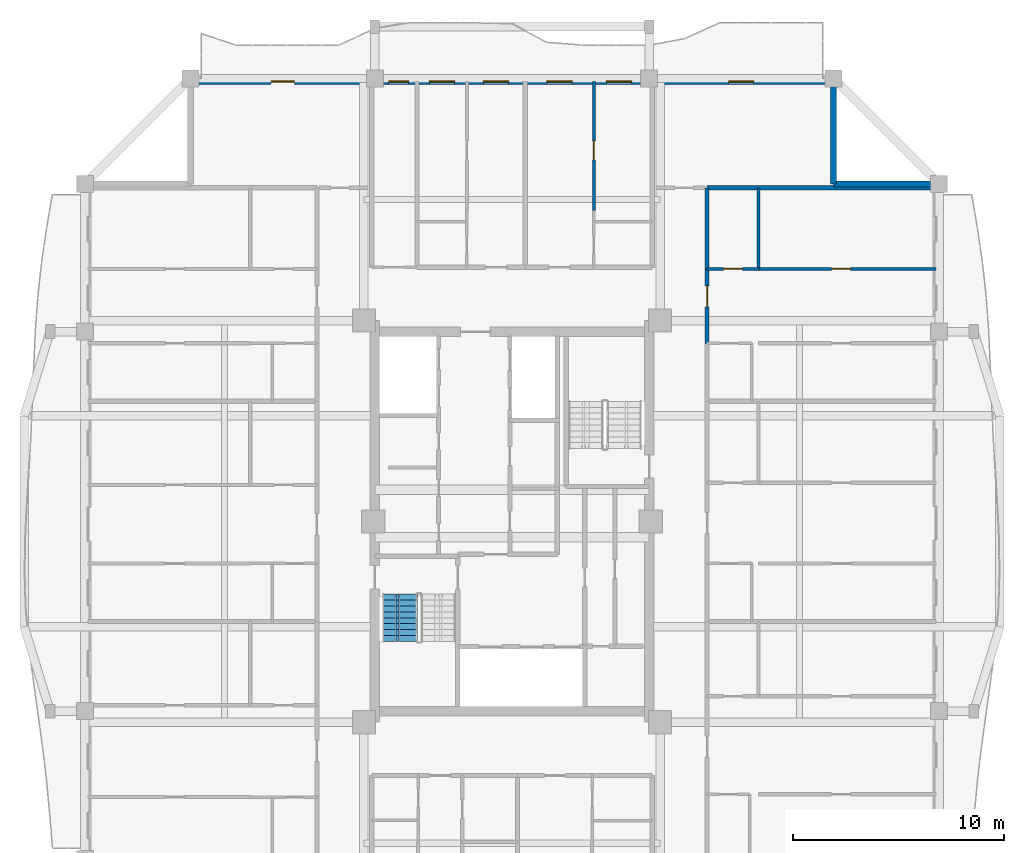
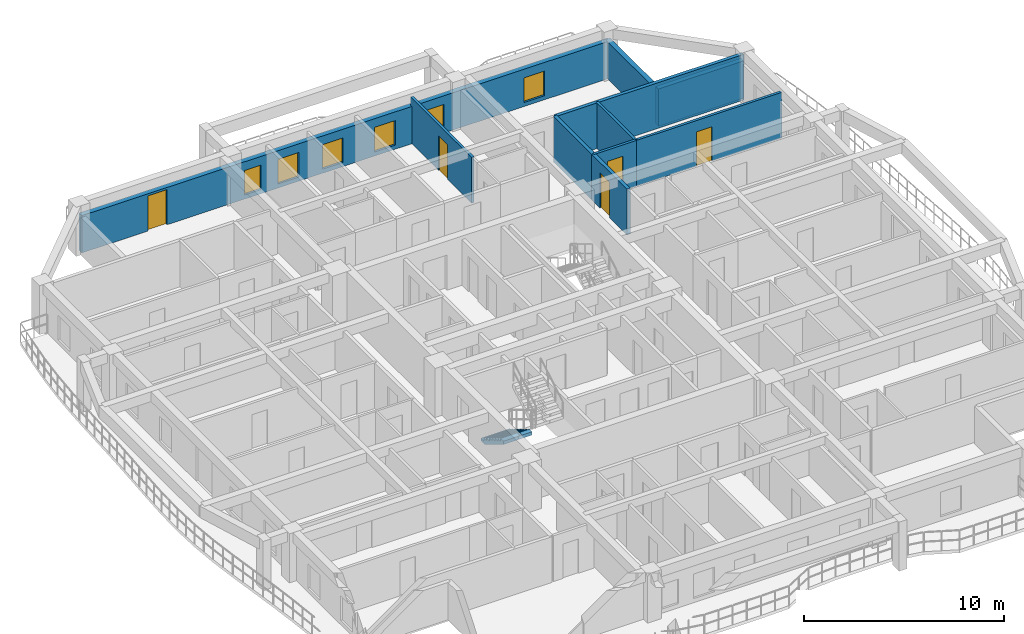
# One storey, part 7 of 13: 10 walls, 6 windows, 5 doors, 1 stair flight, 11 openings, 1 element without a shape of its own.
"""IFC4 building model written with IfcOpenShell, lengths in metres."""

from ifc_helpers import new_model, si_unit, direction, frame, frame_2d, origin, place, context, subcontext, project, spatial, polyline, rectangle, outline, extrude, source, transform, mapped, material, layer, layer_set, type_object, element, fill, aggregate, save


model = new_model("IFC4")

# Units and contexts
model_context = context("Model", 3, precision=1e-05, world=origin(), true_north=direction((0.0, 1.0)))
body_context = subcontext(model_context, "Body", "Model", "MODEL_VIEW")
ifc_project = project(units=[si_unit("LENGTHUNIT", "METRE"), si_unit("AREAUNIT", "SQUARE_METRE"), si_unit("VOLUMEUNIT", "CUBIC_METRE"), si_unit("PLANEANGLEUNIT", "RADIAN"), si_unit("MASSUNIT", "GRAM", prefix="KILO")], contexts=[model_context])

# Site, building, storey
site_placement = place(None, origin())
site = spatial("IfcSite", under=ifc_project, at=site_placement, CompositionType="ELEMENT")
building_placement = place(site_placement, origin())
building = spatial("IfcBuilding", under=site, at=building_placement, Name="Saelheon Loggia Tower", CompositionType="ELEMENT")
storey_placement = place(building_placement, frame((0.0, 0.0, 179.800048828125)))
storey = spatial("IfcBuildingStorey", under=building, at=storey_placement, Name="L56", CompositionType="ELEMENT", Elevation=179.800048828125)

# Wall, openings, windows, door
ifc_material_1 = material(Name="Architectural Precast Concrete C40/50", Category="concrete")
ifc_layer_1 = layer(ifc_material_1, 0.280029296875)
ifc_layer_set_1 = layer_set([ifc_layer_1], Name="Architectural Precast Concrete C40/50")
wall_type_1 = type_object("IfcWallType", Name="Wall_Ext_Loggia_280", PredefinedType="SOLIDWALL", material=ifc_layer_set_1)
wall_1_placement = place(storey_placement, frame((22.75, 47.860107421875, 0.0), z_axis=(0.0, 0.0, 1.0), x_axis=(1.0, 0.0, 0.0)))
wall_1 = element("IfcWall", 1, at=wall_1_placement, inside=storey, type_object=wall_type_1, Name="L56 North Loggia Inner Wall", PredefinedType="SOLIDWALL", context=body_context, shape_type="SweptSolid", body=[
    extrude(rectangle(XDim=30.5, YDim=0.280029296875, at=frame_2d((15.25, 0.0))), origin(), (0.0, 0.0, 1.0), 2.280029296875),
])
opening_1_placement = place(wall_1_placement, frame((3.824951171875, 0.0, 0.0)))
opening_1 = element("IfcOpeningElement", 2, at=opening_1_placement, cuts=wall_1, Name="Opening TD1", PredefinedType="OPENING", context=body_context, shape_type="SweptSolid", body=[
    extrude(rectangle(XDim=1.10009765625, YDim=2.14990234375, at=frame_2d((0.550048828125, 1.074951171875))), frame((0.0, 0.152099609375, 0.0), z_axis=(0.0, -1.0, 0.0), x_axis=(1.0, 0.0, 0.0)), (0.0, 0.0, 1.0), 0.303955078125),
])
opening_2_placement = place(wall_1_placement, frame((9.39501953125, 0.0, 0.25)))
opening_2 = element("IfcOpeningElement", 3, at=opening_2_placement, cuts=wall_1, Name="Opening WN-04", PredefinedType="OPENING", context=body_context, shape_type="SweptSolid", body=[
    extrude(rectangle(XDim=0.949951171875, YDim=1.5, at=frame_2d((0.47509765625, 0.75))), frame((0.0, 0.152099609375, 0.0), z_axis=(0.0, -1.0, 0.0), x_axis=(1.0, 0.0, 0.0)), (0.0, 0.0, 1.0), 0.303955078125),
])
opening_3_placement = place(wall_1_placement, frame((11.32958984375, 0.0, 0.25)))
opening_3 = element("IfcOpeningElement", 4, at=opening_3_placement, cuts=wall_1, Name="Opening WN-03", PredefinedType="OPENING", context=body_context, shape_type="SweptSolid", body=[
    extrude(rectangle(XDim=1.199951171875, YDim=1.5, at=frame_2d((0.60009765625, 0.75))), frame((0.0, 0.152099609375, 0.0), z_axis=(0.0, -1.0, 0.0), x_axis=(1.0, 0.0, 0.0)), (0.0, 0.0, 1.0), 0.303955078125),
])
opening_4_placement = place(wall_1_placement, frame((13.89404296875, 0.0, 0.25)))
opening_4 = element("IfcOpeningElement", 5, at=opening_4_placement, cuts=wall_1, Name="Opening WN-03", PredefinedType="OPENING", context=body_context, shape_type="SweptSolid", body=[
    extrude(rectangle(XDim=1.199951171875, YDim=1.5, at=frame_2d((0.60009765625, 0.75))), frame((0.0, 0.152099609375, 0.0), z_axis=(0.0, -1.0, 0.0), x_axis=(1.0, 0.0, 0.0)), (0.0, 0.0, 1.0), 0.303955078125),
])
opening_5_placement = place(wall_1_placement, frame((16.904541015625, 0.0, 0.25)))
opening_5 = element("IfcOpeningElement", 6, at=opening_5_placement, cuts=wall_1, Name="Opening WN-03", PredefinedType="OPENING", context=body_context, shape_type="SweptSolid", body=[
    extrude(rectangle(XDim=1.199951171875, YDim=1.5, at=frame_2d((0.60009765625, 0.75))), frame((0.0, 0.152099609375, 0.0), z_axis=(0.0, -1.0, 0.0), x_axis=(1.0, 0.0, 0.0)), (0.0, 0.0, 1.0), 0.303955078125),
])
opening_6_placement = place(wall_1_placement, frame((19.72021484375, 0.0, 0.25)))
opening_6 = element("IfcOpeningElement", 7, at=opening_6_placement, cuts=wall_1, Name="Opening WN-03", PredefinedType="OPENING", context=body_context, shape_type="SweptSolid", body=[
    extrude(rectangle(XDim=1.199951171875, YDim=1.5, at=frame_2d((0.60009765625, 0.75))), frame((0.0, 0.152099609375, 0.0), z_axis=(0.0, -1.0, 0.0), x_axis=(1.0, 0.0, 0.0)), (0.0, 0.0, 1.0), 0.303955078125),
])
opening_7_placement = place(wall_1_placement, frame((25.52490234375, 0.0, 0.25)))
opening_7 = element("IfcOpeningElement", 8, at=opening_7_placement, cuts=wall_1, Name="Opening WN-03", PredefinedType="OPENING", context=body_context, shape_type="SweptSolid", body=[
    extrude(rectangle(XDim=1.199951171875, YDim=1.5, at=frame_2d((0.60009765625, 0.75))), frame((0.0, 0.152099609375, 0.0), z_axis=(0.0, -1.0, 0.0), x_axis=(1.0, 0.0, 0.0)), (0.0, 0.0, 1.0), 0.303955078125),
])
ifc_material_2 = material(Name="Thermal-Break Aluminium and Triple Low-E Glass", Category="aluminium")
window_type_1 = type_object("IfcWindowType", Name="Win_Bedroom_1200x1500", PartitioningType="SINGLE_PANEL", PredefinedType="WINDOW", material=ifc_material_2)
shared_shape_1 = source(origin(), body_context, "Body", "SweptSolid", [
    extrude(rectangle(XDim=1.199951171875, YDim=1.5, at=frame_2d((0.60009765625, 0.75))), frame((0.0, 0.030029296875, 0.0), z_axis=(0.0, -1.0, 0.0), x_axis=(1.0, 0.0, 0.0)), (0.0, 0.0, 1.0), 0.06005859375),
])
window_1_placement = place(opening_3_placement, origin())
window_1 = element("IfcWindow", 9, at=window_1_placement, inside=storey, type_object=window_type_1, Name="L56 N Dwelling Window 3", OverallHeight=1.5, OverallWidth=1.199951171875, PartitioningType="SINGLE_PANEL", PredefinedType="WINDOW", context=body_context, shape_type="MappedRepresentation", body=[
    mapped(shared_shape_1, transform((0.0, 0.0, 0.0), scale=1.0)),
])
fill(opening_3, window_1)
window_2_placement = place(opening_4_placement, origin())
window_2 = element("IfcWindow", 10, at=window_2_placement, inside=storey, type_object=window_type_1, Name="L56 N Dwelling Window 4", OverallHeight=1.5, OverallWidth=1.199951171875, PartitioningType="SINGLE_PANEL", PredefinedType="WINDOW", context=body_context, shape_type="MappedRepresentation", body=[
    mapped(shared_shape_1, transform((0.0, 0.0, 0.0), scale=1.0)),
])
fill(opening_4, window_2)
window_3_placement = place(opening_5_placement, origin())
window_3 = element("IfcWindow", 11, at=window_3_placement, inside=storey, type_object=window_type_1, Name="L56 N Dwelling Window 5", OverallHeight=1.5, OverallWidth=1.199951171875, PartitioningType="SINGLE_PANEL", PredefinedType="WINDOW", context=body_context, shape_type="MappedRepresentation", body=[
    mapped(shared_shape_1, transform((0.0, 0.0, 0.0), scale=1.0)),
])
fill(opening_5, window_3)
window_4_placement = place(opening_6_placement, origin())
window_4 = element("IfcWindow", 12, at=window_4_placement, inside=storey, type_object=window_type_1, Name="L56 N Dwelling Window 6", OverallHeight=1.5, OverallWidth=1.199951171875, PartitioningType="SINGLE_PANEL", PredefinedType="WINDOW", context=body_context, shape_type="MappedRepresentation", body=[
    mapped(shared_shape_1, transform((0.0, 0.0, 0.0), scale=1.0)),
])
fill(opening_6, window_4)
window_5_placement = place(opening_7_placement, origin())
window_5 = element("IfcWindow", 13, at=window_5_placement, inside=storey, type_object=window_type_1, Name="L56 N Dwelling Window 7", OverallHeight=1.5, OverallWidth=1.199951171875, PartitioningType="SINGLE_PANEL", PredefinedType="WINDOW", context=body_context, shape_type="MappedRepresentation", body=[
    mapped(shared_shape_1, transform((0.0, 0.0, 0.0), scale=1.0)),
])
fill(opening_7, window_5)
ifc_material_3 = material(Name="Thermal-Break Aluminium Glazed Door", Category="aluminium")
door_type_1 = type_object("IfcDoorType", Name="Door_Terrace_TD1", OperationType="NOTDEFINED", PredefinedType="DOOR", material=ifc_material_3)
shared_shape_2 = source(origin(), body_context, "Body", "SweptSolid", [
    extrude(rectangle(XDim=1.10009765625, YDim=2.14990234375, at=frame_2d((0.550048828125, 1.074951171875))), frame((0.0, 0.02490234375, 0.0), z_axis=(0.0, -1.0, 0.0), x_axis=(1.0, 0.0, 0.0)), (0.0, 0.0, 1.0), 0.050048828125),
])
door_1_placement = place(opening_1_placement, origin())
door_1 = element("IfcDoor", 14, at=door_1_placement, inside=storey, type_object=door_type_1, Name="L56 N Loggia Access Door", OperationType="SINGLE_SWING_LEFT", OverallHeight=2.14990234375, OverallWidth=1.10009765625, PredefinedType="DOOR", context=body_context, shape_type="MappedRepresentation", body=[
    mapped(shared_shape_2, transform((0.0, 0.0, 0.0), scale=1.0)),
])
fill(opening_1, door_1)
window_type_2 = type_object("IfcWindowType", Name="Win_Narrow_950x1500", PartitioningType="SINGLE_PANEL", PredefinedType="WINDOW", material=ifc_material_2)
shared_shape_3 = source(origin(), body_context, "Body", "SweptSolid", [
    extrude(rectangle(XDim=0.949951171875, YDim=1.5, at=frame_2d((0.47509765625, 0.75))), frame((0.0, 0.030029296875, 0.0), z_axis=(0.0, -1.0, 0.0), x_axis=(1.0, 0.0, 0.0)), (0.0, 0.0, 1.0), 0.06005859375),
])
window_6_placement = place(opening_2_placement, origin())
window_6 = element("IfcWindow", 15, at=window_6_placement, inside=storey, type_object=window_type_2, Name="L56 N Dwelling Window 2", OverallHeight=1.5, OverallWidth=0.949951171875, PartitioningType="SINGLE_PANEL", PredefinedType="WINDOW", context=body_context, shape_type="MappedRepresentation", body=[
    mapped(shared_shape_3, transform((0.0, 0.0, 0.0), scale=1.0)),
])
fill(opening_2, window_6)

# Walls
for number, where, z_axis, x_axis, name in (
    (16, (53.25, 43.0, 0.0), (0.0, 0.0, 1.0), (0.0, 1.0, 0.0), "L56 Corner Notch Precast Wall NE1"),
    (17, (53.25, 43.0, 0.0), (0.0, 0.0, 1.0), (1.0, 0.0, 0.0), "L56 Corner Notch Precast Wall NE2"),
):
    element("IfcWall", number, at=place(storey_placement, frame(where, z_axis=z_axis, x_axis=x_axis)), inside=storey, type_object=wall_type_1, Name=name, PredefinedType="SOLIDWALL", context=body_context, shape_type="SweptSolid", body=[
        extrude(rectangle(XDim=4.919921875, YDim=0.280029296875, at=frame_2d((2.4599609375, 0.0))), origin(), (0.0, 0.0, 1.0), 2.280029296875),
    ])

# Wall, opening, door
ifc_material_4 = material(Name="Lightweight Autoclaved Aerated Concrete Block and Acoustic Gypsum", Category="concrete")
ifc_layer_2 = layer(ifc_material_4, 0.14990234375)
ifc_layer_set_2 = layer_set([ifc_layer_2], Name="Lightweight Autoclaved Aerated Concrete Block and Acoustic Gypsum")
wall_type_2 = type_object("IfcWallType", Name="Wall_Part_150", PredefinedType="PARTITIONING", material=ifc_layer_set_2)
wall_2_placement = place(storey_placement, frame((41.88037109375, 41.72998046875, 0.0), z_axis=(0.0, 0.0, 1.0), x_axis=(0.0, 1.0, 0.0)))
wall_2 = element("IfcWall", 18, at=wall_2_placement, inside=storey, type_object=wall_type_2, Name="L56 N Partition U17", PredefinedType="PARTITIONING", context=body_context, shape_type="SweptSolid", body=[
    extrude(rectangle(XDim=6.1201171875, YDim=0.14990234375, at=frame_2d((3.06005859375, 0.0))), origin(), (0.0, 0.0, 1.0), 2.7900390625),
])
opening_8_placement = place(wall_2_placement, frame((2.41259765625, 0.0, 0.0)))
opening_8 = element("IfcOpeningElement", 19, at=opening_8_placement, cuts=wall_2, Name="Opening D-IN2", PredefinedType="OPENING", context=body_context, shape_type="SweptSolid", body=[
    extrude(rectangle(XDim=0.89990234375, YDim=2.10009765625, at=frame_2d((0.449951171875, 1.050048828125))), frame((0.0, 0.0869140625, 0.0), z_axis=(0.0, -1.0, 0.0), x_axis=(1.0, 0.0, 0.0)), (0.0, 0.0, 1.0), 0.173828125),
])
ifc_material_5 = material(Name="Engineered Oak Flush Door", Category="timber")
door_type_2 = type_object("IfcDoorType", Name="Door_Int_900", OperationType="NOTDEFINED", PredefinedType="DOOR", material=ifc_material_5)
shared_shape_4 = source(origin(), body_context, "Body", "SweptSolid", [
    extrude(rectangle(XDim=0.89990234375, YDim=2.10009765625, at=frame_2d((0.449951171875, 1.050048828125))), frame((0.0, 0.02490234375, 0.0), z_axis=(0.0, -1.0, 0.0), x_axis=(1.0, 0.0, 0.0)), (0.0, 0.0, 1.0), 0.050048828125),
])
door_2_placement = place(opening_8_placement, origin())
door_2 = element("IfcDoor", 20, at=door_2_placement, inside=storey, type_object=door_type_2, Name="Unit U04 Kitchen Door", OperationType="SINGLE_SWING_RIGHT", OverallHeight=2.10009765625, OverallWidth=0.89990234375, PredefinedType="DOOR", context=body_context, shape_type="MappedRepresentation", body=[
    mapped(shared_shape_4, transform((0.0, 0.0, 0.0), scale=1.0)),
])
fill(opening_8, door_2)

# Wall
wall_3_placement = place(storey_placement, frame((49.68994140625, 38.97265625, 0.0), z_axis=(0.0, 0.0, 1.0), x_axis=(0.0, 1.0, 0.0)))
element("IfcWall", 21, at=wall_3_placement, inside=storey, type_object=wall_type_2, Name="L56 E Partition V27", PredefinedType="PARTITIONING", context=body_context, shape_type="SweptSolid", body=[
    extrude(rectangle(XDim=3.847412109375, YDim=0.14990234375, at=frame_2d((1.923828125, 0.0))), origin(), (0.0, 0.0, 1.0), 2.7900390625),
])

# Wall, opening, door
wall_4_placement = place(storey_placement, frame((47.25, 38.97265625, 0.0), z_axis=(0.0, 0.0, 1.0), x_axis=(1.0, 0.0, 0.0)))
wall_4 = element("IfcWall", 22, at=wall_4_placement, inside=storey, type_object=wall_type_2, Name="L56 E Partition U30", PredefinedType="PARTITIONING", context=body_context, shape_type="SweptSolid", body=[
    extrude(rectangle(XDim=2.43994140625, YDim=0.14990234375, at=frame_2d((1.219970703125, 0.0))), origin(), (0.0, 0.0, 1.0), 2.7900390625),
])
opening_9_placement = place(wall_4_placement, frame((0.77001953125, 0.0, 0.0)))
opening_9 = element("IfcOpeningElement", 23, at=opening_9_placement, cuts=wall_4, Name="Opening D-IN2", PredefinedType="OPENING", context=body_context, shape_type="SweptSolid", body=[
    extrude(rectangle(XDim=0.89990234375, YDim=2.10009765625, at=frame_2d((0.449951171875, 1.050048828125))), frame((0.0, 0.0869140625, 0.0), z_axis=(0.0, -1.0, 0.0), x_axis=(1.0, 0.0, 0.0)), (0.0, 0.0, 1.0), 0.173828125),
])
door_3_placement = place(opening_9_placement, origin())
door_3 = element("IfcDoor", 24, at=door_3_placement, inside=storey, type_object=door_type_2, Name="Unit U10 Dressing Closet Door", OperationType="SINGLE_SWING_LEFT", OverallHeight=2.10009765625, OverallWidth=0.89990234375, PredefinedType="DOOR", context=body_context, shape_type="MappedRepresentation", body=[
    mapped(shared_shape_4, transform((0.0, 0.0, 0.0), scale=1.0)),
])
fill(opening_9, door_3)

wall_5_placement = place(storey_placement, frame((49.68994140625, 38.97265625, 0.0), z_axis=(0.0, 0.0, 1.0), x_axis=(1.0, 0.0, 0.0)))
wall_5 = element("IfcWall", 25, at=wall_5_placement, inside=storey, type_object=wall_type_2, Name="L56 E Partition U31", PredefinedType="PARTITIONING", context=body_context, shape_type="SweptSolid", body=[
    extrude(rectangle(XDim=8.41015625, YDim=0.14990234375, at=frame_2d((4.205078125, 0.0))), origin(), (0.0, 0.0, 1.0), 2.7900390625),
])
opening_10_placement = place(wall_5_placement, frame((3.462158203125, 0.0, 0.0)))
opening_10 = element("IfcOpeningElement", 26, at=opening_10_placement, cuts=wall_5, Name="Opening D-IN2", PredefinedType="OPENING", context=body_context, shape_type="SweptSolid", body=[
    extrude(rectangle(XDim=0.89990234375, YDim=2.10009765625, at=frame_2d((0.449951171875, 1.050048828125))), frame((0.0, 0.0869140625, 0.0), z_axis=(0.0, -1.0, 0.0), x_axis=(1.0, 0.0, 0.0)), (0.0, 0.0, 1.0), 0.173828125),
])
door_4_placement = place(opening_10_placement, origin())
door_4 = element("IfcDoor", 27, at=door_4_placement, inside=storey, type_object=door_type_2, Name="Unit U10 Bedroom 1 Door", OperationType="SINGLE_SWING_RIGHT", OverallHeight=2.10009765625, OverallWidth=0.89990234375, PredefinedType="DOOR", context=body_context, shape_type="MappedRepresentation", body=[
    mapped(shared_shape_4, transform((0.0, 0.0, 0.0), scale=1.0)),
])
fill(opening_10, door_4)

# Wall
ifc_material_6 = material(Name="Double Acoustic Stud and Fireboard Partition", Category="gypsum")
ifc_layer_3 = layer(ifc_material_6, 0.199951171875)
ifc_layer_set_3 = layer_set([ifc_layer_3], Name="Double Acoustic Stud and Fireboard Partition")
wall_type_3 = type_object("IfcWallType", Name="Wall_Party_200", PredefinedType="PARTITIONING", material=ifc_layer_set_3)
wall_6_placement = place(storey_placement, frame((47.25, 42.820068359375, 0.0), z_axis=(0.0, 0.0, 1.0), x_axis=(1.0, 0.0, 0.0)))
element("IfcWall", 28, at=wall_6_placement, inside=storey, type_object=wall_type_3, Name="L56 E Partition U02", PredefinedType="PARTITIONING", context=body_context, shape_type="SweptSolid", body=[
    extrude(rectangle(XDim=10.85009765625, YDim=0.199951171875, at=frame_2d((5.425048828125, 0.0))), origin(), (0.0, 0.0, 1.0), 2.7900390625),
])

# Wall, opening, door
wall_7_placement = place(storey_placement, frame((47.25, 35.4453125, 0.0), z_axis=(0.0, 0.0, 1.0), x_axis=(0.0, 1.0, 0.0)))
wall_7 = element("IfcWall", 29, at=wall_7_placement, inside=storey, type_object=wall_type_3, Name="L56 E Partition V24", PredefinedType="PARTITIONING", context=body_context, shape_type="SweptSolid", body=[
    extrude(rectangle(XDim=3.52734375, YDim=0.199951171875, at=frame_2d((1.763671875, 0.0))), origin(), (0.0, 0.0, 1.0), 2.7900390625),
])
opening_11_placement = place(wall_7_placement, frame((1.7236328125, 0.0, 0.0)))
opening_11 = element("IfcOpeningElement", 30, at=opening_11_placement, cuts=wall_7, Name="Opening D-FD1", PredefinedType="OPENING", context=body_context, shape_type="SweptSolid", body=[
    extrude(rectangle(XDim=1.0, YDim=2.14990234375, at=frame_2d((0.5, 1.074951171875))), frame((0.0, 0.112060546875, 0.0), z_axis=(0.0, -1.0, 0.0), x_axis=(1.0, 0.0, 0.0)), (0.0, 0.0, 1.0), 0.223876953125),
])
ifc_material_7 = material(Name="Fire-Rated Engineered Timber Entrance Door", Category="wood")
door_type_3 = type_object("IfcDoorType", Name="Door_Flat_FD30S", OperationType="NOTDEFINED", PredefinedType="DOOR", material=ifc_material_7)
shared_shape_5 = source(origin(), body_context, "Body", "SweptSolid", [
    extrude(rectangle(XDim=1.0, YDim=2.14990234375, at=frame_2d((0.5, 1.074951171875))), frame((0.0, 0.02490234375, 0.0), z_axis=(0.0, -1.0, 0.0), x_axis=(1.0, 0.0, 0.0)), (0.0, 0.0, 1.0), 0.050048828125),
])
door_5_placement = place(opening_11_placement, origin())
door_5 = element("IfcDoor", 31, at=door_5_placement, inside=storey, type_object=door_type_3, Name="Unit U10 Entrance Door", OperationType="SINGLE_SWING_RIGHT", OverallHeight=2.14990234375, OverallWidth=1.0, PredefinedType="DOOR", context=body_context, shape_type="MappedRepresentation", body=[
    mapped(shared_shape_5, transform((0.0, 0.0, 0.0), scale=1.0)),
])
fill(opening_11, door_5)

# Wall
wall_8_placement = place(storey_placement, frame((47.25, 38.97265625, 0.0), z_axis=(0.0, 0.0, 1.0), x_axis=(0.0, 1.0, 0.0)))
element("IfcWall", 32, at=wall_8_placement, inside=storey, type_object=wall_type_3, Name="L56 E Partition V25", PredefinedType="PARTITIONING", context=body_context, shape_type="SweptSolid", body=[
    extrude(rectangle(XDim=3.847412109375, YDim=0.199951171875, at=frame_2d((1.923828125, 0.0))), origin(), (0.0, 0.0, 1.0), 2.7900390625),
])

# Stair, stair flight
ifc_material_8 = material(Name="Concrete C40/50", Category="concrete")
stair_type = type_object("IfcStairType", Name="Stair_Escape_Core", PredefinedType="HALF_TURN_STAIR", material=ifc_material_8)
stair_placement = place(storey_placement, origin())
stair = element("IfcStair", 33, at=stair_placement, inside=storey, type_object=stair_type, Name="L56 Special Escape Stair ST1", PredefinedType="HALF_TURN_STAIR")
stair_flight_type = type_object("IfcStairFlightType", Name="StairFlight_Tower_1660", PredefinedType="STRAIGHT", material=ifc_material_8)
stair_flight_placement = place(storey_placement, frame((32.679931640625, 23.550048828125, 0.0), z_axis=(0.0, 0.0, 1.0), x_axis=(0.0, -1.0, 0.0)))
stair_flight = element("IfcStairFlight", 34, at=stair_flight_placement, type_object=stair_flight_type, Name="ST1 flight 1", NumberOfRisers=9, NumberOfTreads=8, PredefinedType="STRAIGHT", RiserHeight=0.166666667, TreadLength=0.28, context=body_context, shape_type="SweptSolid", body=[
    extrude(outline(polyline([(0.0, 0.0), (0.0, 0.166748046875), (0.280029296875, 0.166748046875), (0.280029296875, 0.333251953125), (0.56005859375, 0.333251953125), (0.56005859375, 0.5), (0.840087890625, 0.5), (0.840087890625, 0.666748046875), (1.1201171875, 0.666748046875), (1.1201171875, 0.833251953125), (1.39990234375, 0.833251953125), (1.39990234375, 1.0), (1.679931640625, 1.0), (1.679931640625, 1.166748046875), (1.9599609375, 1.166748046875), (1.9599609375, 1.333251953125), (2.239990234375, 1.333251953125), (2.239990234375, 1.5), (2.239990234375, 1.1240234375), (0.351806640625, 0.0), (0.0, 0.0)])), frame((0.0, -0.2490234375, 0.0), z_axis=(0.0, -1.0, 0.0), x_axis=(1.0, 0.0, 0.0)), (0.0, 0.0, 1.0), 0.5810546875),
    extrude(outline(polyline([(0.0, 0.0), (0.0, 0.166748046875), (0.280029296875, 0.166748046875), (0.280029296875, 0.333251953125), (0.56005859375, 0.333251953125), (0.56005859375, 0.5), (0.840087890625, 0.5), (0.840087890625, 0.666748046875), (1.1201171875, 0.666748046875), (1.1201171875, 0.833251953125), (1.39990234375, 0.833251953125), (1.39990234375, 1.0), (1.679931640625, 1.0), (1.679931640625, 1.166748046875), (1.9599609375, 1.166748046875), (1.9599609375, 1.333251953125), (2.239990234375, 1.333251953125), (2.239990234375, 1.5), (2.239990234375, 1.1240234375), (0.351806640625, 0.0), (0.0, 0.0)])), frame((0.0, -0.194091796875, 0.0), z_axis=(0.0, -1.0, 0.0), x_axis=(1.0, 0.0, 0.0)), (0.0, 0.0, 1.0), 0.0498046875),
    extrude(outline(polyline([(0.0, 0.0), (0.0, 0.166748046875), (0.280029296875, 0.166748046875), (0.280029296875, 0.333251953125), (0.56005859375, 0.333251953125), (0.56005859375, 0.5), (0.840087890625, 0.5), (0.840087890625, 0.666748046875), (1.1201171875, 0.666748046875), (1.1201171875, 0.833251953125), (1.39990234375, 0.833251953125), (1.39990234375, 1.0), (1.679931640625, 1.0), (1.679931640625, 1.166748046875), (1.9599609375, 1.166748046875), (1.9599609375, 1.333251953125), (2.239990234375, 1.333251953125), (2.239990234375, 1.5), (2.239990234375, 1.1240234375), (0.351806640625, 0.0), (0.0, 0.0)])), frame((0.0, -0.139404296875, 0.0), z_axis=(0.0, -1.0, 0.0), x_axis=(1.0, 0.0, 0.0)), (0.0, 0.0, 1.0), 0.0498046875),
    extrude(outline(polyline([(0.0, 0.0), (0.0, 0.166748046875), (0.280029296875, 0.166748046875), (0.280029296875, 0.333251953125), (0.56005859375, 0.333251953125), (0.56005859375, 0.5), (0.840087890625, 0.5), (0.840087890625, 0.666748046875), (1.1201171875, 0.666748046875), (1.1201171875, 0.833251953125), (1.39990234375, 0.833251953125), (1.39990234375, 1.0), (1.679931640625, 1.0), (1.679931640625, 1.166748046875), (1.9599609375, 1.166748046875), (1.9599609375, 1.333251953125), (2.239990234375, 1.333251953125), (2.239990234375, 1.5), (2.239990234375, 1.1240234375), (0.351806640625, 0.0), (0.0, 0.0)])), frame((0.0, -0.084716796875, 0.0), z_axis=(0.0, -1.0, 0.0), x_axis=(1.0, 0.0, 0.0)), (0.0, 0.0, 1.0), 0.0498046875),
    extrude(outline(polyline([(0.0, 0.0), (0.0, 0.166748046875), (0.280029296875, 0.166748046875), (0.280029296875, 0.333251953125), (0.56005859375, 0.333251953125), (0.56005859375, 0.5), (0.840087890625, 0.5), (0.840087890625, 0.666748046875), (1.1201171875, 0.666748046875), (1.1201171875, 0.833251953125), (1.39990234375, 0.833251953125), (1.39990234375, 1.0), (1.679931640625, 1.0), (1.679931640625, 1.166748046875), (1.9599609375, 1.166748046875), (1.9599609375, 1.333251953125), (2.239990234375, 1.333251953125), (2.239990234375, 1.5), (2.239990234375, 1.1240234375), (0.351806640625, 0.0), (0.0, 0.0)])), frame((0.0, -0.02978515625, 0.0), z_axis=(0.0, -1.0, 0.0), x_axis=(1.0, 0.0, 0.0)), (0.0, 0.0, 1.0), 0.0498046875),
    extrude(outline(polyline([(0.0, 0.0), (0.0, 0.166748046875), (0.280029296875, 0.166748046875), (0.280029296875, 0.333251953125), (0.56005859375, 0.333251953125), (0.56005859375, 0.5), (0.840087890625, 0.5), (0.840087890625, 0.666748046875), (1.1201171875, 0.666748046875), (1.1201171875, 0.833251953125), (1.39990234375, 0.833251953125), (1.39990234375, 1.0), (1.679931640625, 1.0), (1.679931640625, 1.166748046875), (1.9599609375, 1.166748046875), (1.9599609375, 1.333251953125), (2.239990234375, 1.333251953125), (2.239990234375, 1.5), (2.239990234375, 1.1240234375), (0.351806640625, 0.0), (0.0, 0.0)])), frame((0.0, 0.02490234375, 0.0), z_axis=(0.0, -1.0, 0.0), x_axis=(1.0, 0.0, 0.0)), (0.0, 0.0, 1.0), 0.0498046875),
    extrude(outline(polyline([(0.0, 0.0), (0.0, 0.166748046875), (0.280029296875, 0.166748046875), (0.280029296875, 0.333251953125), (0.56005859375, 0.333251953125), (0.56005859375, 0.5), (0.840087890625, 0.5), (0.840087890625, 0.666748046875), (1.1201171875, 0.666748046875), (1.1201171875, 0.833251953125), (1.39990234375, 0.833251953125), (1.39990234375, 1.0), (1.679931640625, 1.0), (1.679931640625, 1.166748046875), (1.9599609375, 1.166748046875), (1.9599609375, 1.333251953125), (2.239990234375, 1.333251953125), (2.239990234375, 1.5), (2.239990234375, 1.1240234375), (0.351806640625, 0.0), (0.0, 0.0)])), frame((0.0, 0.07958984375, 0.0), z_axis=(0.0, -1.0, 0.0), x_axis=(1.0, 0.0, 0.0)), (0.0, 0.0, 1.0), 0.0498046875),
    extrude(outline(polyline([(0.0, 0.0), (0.0, 0.166748046875), (0.280029296875, 0.166748046875), (0.280029296875, 0.333251953125), (0.56005859375, 0.333251953125), (0.56005859375, 0.5), (0.840087890625, 0.5), (0.840087890625, 0.666748046875), (1.1201171875, 0.666748046875), (1.1201171875, 0.833251953125), (1.39990234375, 0.833251953125), (1.39990234375, 1.0), (1.679931640625, 1.0), (1.679931640625, 1.166748046875), (1.9599609375, 1.166748046875), (1.9599609375, 1.333251953125), (2.239990234375, 1.333251953125), (2.239990234375, 1.5), (2.239990234375, 1.1240234375), (0.351806640625, 0.0), (0.0, 0.0)])), frame((0.0, 0.134521484375, 0.0), z_axis=(0.0, -1.0, 0.0), x_axis=(1.0, 0.0, 0.0)), (0.0, 0.0, 1.0), 0.0498046875),
    extrude(outline(polyline([(0.0, 0.0), (0.0, 0.166748046875), (0.280029296875, 0.166748046875), (0.280029296875, 0.333251953125), (0.56005859375, 0.333251953125), (0.56005859375, 0.5), (0.840087890625, 0.5), (0.840087890625, 0.666748046875), (1.1201171875, 0.666748046875), (1.1201171875, 0.833251953125), (1.39990234375, 0.833251953125), (1.39990234375, 1.0), (1.679931640625, 1.0), (1.679931640625, 1.166748046875), (1.9599609375, 1.166748046875), (1.9599609375, 1.333251953125), (2.239990234375, 1.333251953125), (2.239990234375, 1.5), (2.239990234375, 1.1240234375), (0.351806640625, 0.0), (0.0, 0.0)])), frame((0.0, 0.189208984375, 0.0), z_axis=(0.0, -1.0, 0.0), x_axis=(1.0, 0.0, 0.0)), (0.0, 0.0, 1.0), 0.0498046875),
    extrude(outline(polyline([(0.0, 0.0), (0.0, 0.166748046875), (0.280029296875, 0.166748046875), (0.280029296875, 0.333251953125), (0.56005859375, 0.333251953125), (0.56005859375, 0.5), (0.840087890625, 0.5), (0.840087890625, 0.666748046875), (1.1201171875, 0.666748046875), (1.1201171875, 0.833251953125), (1.39990234375, 0.833251953125), (1.39990234375, 1.0), (1.679931640625, 1.0), (1.679931640625, 1.166748046875), (1.9599609375, 1.166748046875), (1.9599609375, 1.333251953125), (2.239990234375, 1.333251953125), (2.239990234375, 1.5), (2.239990234375, 1.1240234375), (0.351806640625, 0.0), (0.0, 0.0)])), frame((0.0, 0.243896484375, 0.0), z_axis=(0.0, -1.0, 0.0), x_axis=(1.0, 0.0, 0.0)), (0.0, 0.0, 1.0), 0.0498046875),
    extrude(outline(polyline([(0.0, 0.0), (0.0, 0.166748046875), (0.280029296875, 0.166748046875), (0.280029296875, 0.333251953125), (0.56005859375, 0.333251953125), (0.56005859375, 0.5), (0.840087890625, 0.5), (0.840087890625, 0.666748046875), (1.1201171875, 0.666748046875), (1.1201171875, 0.833251953125), (1.39990234375, 0.833251953125), (1.39990234375, 1.0), (1.679931640625, 1.0), (1.679931640625, 1.166748046875), (1.9599609375, 1.166748046875), (1.9599609375, 1.333251953125), (2.239990234375, 1.333251953125), (2.239990234375, 1.5), (2.239990234375, 1.1240234375), (0.351806640625, 0.0), (0.0, 0.0)])), frame((0.0, 0.830078125, 0.0), z_axis=(0.0, -1.0, 0.0), x_axis=(1.0, 0.0, 0.0)), (0.0, 0.0, 1.0), 0.5810546875),
])
aggregate(stair, [stair_flight])

save(model, "model.ifc")
